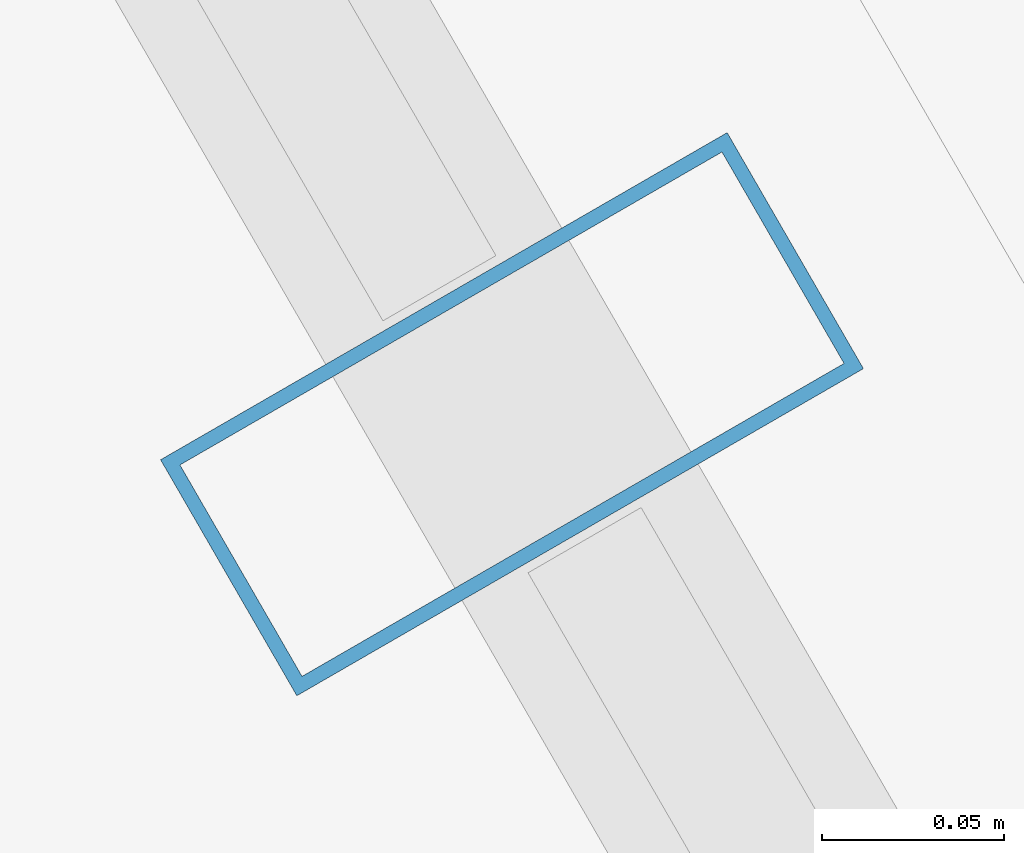
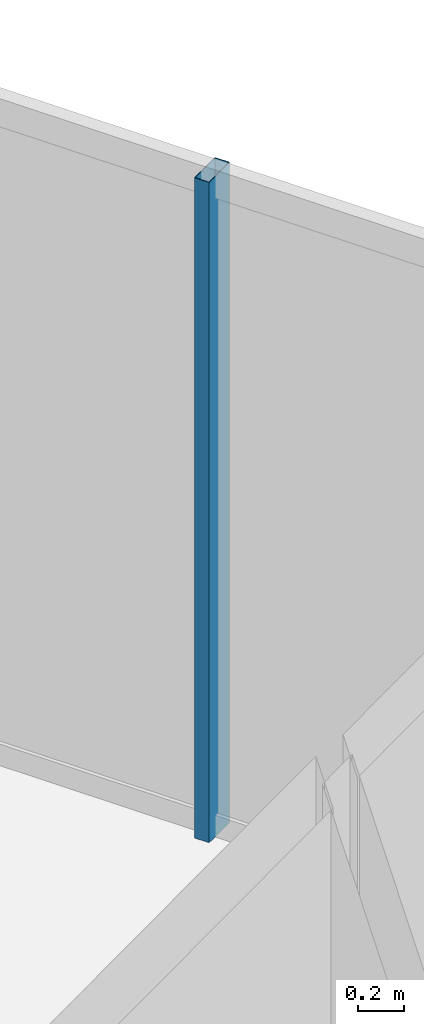
# One storey, part 24 of 32: 1 member, 1 element without a shape of its own.
"""IFC4 building model written with IfcOpenShell, lengths in metres."""

import ifcopenshell
import ifcopenshell.guid

model = None  # the IFC model being written
_history = None  # IfcOwnerHistory: only IFC2X3 demands one
_inside = {}  # id of a spatial element -> (the spatial element, [elements in it])
_under = {}  # id of a project, library or spatial element -> (it, [spatial elements below it])
_declared = {}  # id of a project -> (the project, [libraries it declares])
_typed = {}  # id of a type object -> (the type object, [elements of that type])
_made_of = {}  # id of a material, layer set ... -> (it, [elements and type objects made of it])


def new_model(schema):
    """Start an empty IFC model of exactly this schema.

    Asked for "IFC4X3", IfcOpenShell would pick the latest addendum, in which some entities
    have other attributes; the version numbers below select the first issue.
    IFC2X3 requires an IfcOwnerHistory on every rooted entity: one is made here for all.
    """
    global model, _history
    if schema == "IFC4X3":
        model = ifcopenshell.file(schema_version=(4, 3, 0, 0))
    else:
        model = ifcopenshell.file(schema=schema)
    _inside.clear()
    _under.clear()
    _declared.clear()
    _typed.clear()
    _made_of.clear()
    _history = None
    if model.schema == "IFC2X3":
        org = make("IfcOrganization", Name="unknown")
        user = make(
            "IfcPersonAndOrganization",
            ThePerson=make("IfcPerson", FamilyName="unknown"),
            TheOrganization=org,
        )
        app = make(
            "IfcApplication",
            ApplicationDeveloper=org,
            Version="unknown",
            ApplicationFullName="unknown",
            ApplicationIdentifier="unknown",
        )
        _history = make(
            "IfcOwnerHistory",
            OwningUser=user,
            OwningApplication=app,
            ChangeAction="ADDED",
            CreationDate=0,
        )
    return model


def make(cls, **values):
    """One entity of the class cls with the attributes given. An attribute that is None is left unset."""
    return model.create_entity(
        cls, **{name: value for name, value in values.items() if value is not None}
    )


def rooted(cls, **values):
    """An entity with a GlobalId (a new one), such as an element, a storey or a relation."""
    return make(cls, GlobalId=ifcopenshell.guid.new(), OwnerHistory=_history, **values)


def si_unit(unit_type, name, prefix=None):
    """IfcSIUnit, for example si_unit("LENGTHUNIT", "METRE", prefix="MILLI")."""
    return make("IfcSIUnit", UnitType=unit_type, Prefix=prefix, Name=name)


def assignment(units):
    """IfcUnitAssignment: the units of a project."""
    return None if units is None else make("IfcUnitAssignment", Units=units)


def point(xyz):
    """IfcCartesianPoint."""
    return None if xyz is None else make("IfcCartesianPoint", Coordinates=xyz)


def direction(xyz):
    """IfcDirection."""
    return None if xyz is None else make("IfcDirection", DirectionRatios=xyz)


def frame(location, z_axis=None, x_axis=None):
    """IfcAxis2Placement3D, a coordinate frame: its origin and axes. An axis left out is left unset."""
    return make(
        "IfcAxis2Placement3D",
        Location=point(location),
        Axis=direction(z_axis),
        RefDirection=direction(x_axis),
    )


def frame_2d(location, x_axis=None):
    """IfcAxis2Placement2D, a coordinate frame in the plane: its origin and x axis."""
    return make(
        "IfcAxis2Placement2D", Location=point(location), RefDirection=direction(x_axis)
    )


def origin():
    """The frame at (0, 0, 0) with its axes left unset."""
    return frame((0.0, 0.0, 0.0))


def origin_2d():
    """The frame at (0, 0) in the plane with its x axis left unset."""
    return frame_2d((0.0, 0.0))


def place(relative_to, where):
    """IfcLocalPlacement: puts the frame where relative to a parent placement (None: the world)."""
    return make(
        "IfcLocalPlacement", PlacementRelTo=relative_to, RelativePlacement=where
    )


def context(
    kind, dimensions, precision=None, world=None, true_north=None, identifier=None
):
    """IfcGeometricRepresentationContext, for example the 3D "Model" context."""
    return make(
        "IfcGeometricRepresentationContext",
        ContextIdentifier=identifier,
        ContextType=kind,
        CoordinateSpaceDimension=dimensions,
        Precision=precision,
        WorldCoordinateSystem=world,
        TrueNorth=true_north,
    )


def subcontext(parent, identifier, kind, view, scale=None):
    """IfcGeometricRepresentationSubContext, for example "Body" below "Model"."""
    return make(
        "IfcGeometricRepresentationSubContext",
        ContextIdentifier=identifier,
        ContextType=kind,
        ParentContext=parent,
        TargetScale=scale,
        TargetView=view,
    )


def project(units=None, contexts=None):
    """IfcProject with its units and contexts."""
    return rooted(
        "IfcProject",
        Name="project",
        RepresentationContexts=contexts,
        UnitsInContext=assignment(units),
    )


def spatial(cls, under=None, at=None, **own):
    """A site, building, storey or space (cls), placed at a placement, below another one or the project."""
    s = rooted(cls, ObjectPlacement=at, **own)
    if under is not None:
        _under.setdefault(under.id(), (under, []))[1].append(s)
    return s


def profile(cls, at=None, kind="AREA", **sizes):
    """A parametric profile (cls). Its sizes go by their IFC names, for example OverallWidth=200.0."""
    return make(cls, ProfileType=kind, Position=at, **sizes)


def hollow_rectangle(**sizes):
    """IfcRectangleHollowProfileDef."""
    return profile("IfcRectangleHollowProfileDef", **sizes)


def extrude(swept, where, along, depth):
    """IfcExtrudedAreaSolid: the profile swept, set in the frame where, extruded along a direction by depth."""
    return make(
        "IfcExtrudedAreaSolid",
        SweptArea=swept,
        Position=where,
        ExtrudedDirection=direction(along),
        Depth=depth,
    )


def shape(context_of_items, identifier, shape_type, items):
    """IfcShapeRepresentation: the items that make up one representation, for example the "Body"."""
    return make(
        "IfcShapeRepresentation",
        ContextOfItems=context_of_items,
        RepresentationIdentifier=identifier,
        RepresentationType=shape_type,
        Items=items,
    )


def material(Name=None, Category=None):
    """IfcMaterial."""
    return make("IfcMaterial", Name=Name, Category=Category)


def layer(
    of_material, thickness, ventilated=None, Name=None, Category=None, Priority=None
):
    """IfcMaterialLayer: one layer of a wall or slab, of a material (None: an air gap)."""
    return make(
        "IfcMaterialLayer",
        Material=of_material,
        LayerThickness=thickness,
        IsVentilated=ventilated,
        Name=Name,
        Category=Category,
        Priority=Priority,
    )


def layer_set(layers, Name=None):
    """IfcMaterialLayerSet."""
    return make("IfcMaterialLayerSet", MaterialLayers=layers, LayerSetName=Name)


def material_profile(
    of_material, cross_section, Name=None, Category=None, Priority=None
):
    """IfcMaterialProfile: a cross section and its material."""
    return make(
        "IfcMaterialProfile",
        Name=Name,
        Material=of_material,
        Profile=cross_section,
        Priority=Priority,
        Category=Category,
    )


def profile_set(profiles, Name=None, composite=None):
    """IfcMaterialProfileSet."""
    return make(
        "IfcMaterialProfileSet",
        Name=Name,
        MaterialProfiles=profiles,
        CompositeProfile=composite,
    )


def made_of(thing, what):
    """Note that an element or type object is made of a material, layer set ...; save() writes the relation."""
    if what is not None:
        _made_of.setdefault(what.id(), (what, []))[1].append(thing)
    return thing


def type_object(cls, material=None, **own):
    """A type object (cls), such as IfcWallType, which elements share."""
    return made_of(rooted(cls, **own), material)


def element(
    cls,
    number,
    at=None,
    inside=None,
    cuts=None,
    type_object=None,
    material=None,
    context=None,
    identifier="Body",
    shape_type=None,
    held_by="IfcProductDefinitionShape",
    body=None,
    shapes=None,
    **own,
):
    """One element of the class cls, such as IfcWall. Its Tag is "e" and its number.

    at: its placement. inside: the storey or other place that contains it. cuts: it is an
    opening in that element (IfcRelVoidsElement). A single representation is given by context,
    identifier, shape_type and body (its items); several are given by shapes. held_by: the class
    of the entity that holds the representations. save() writes the other relations.
    """
    e = rooted(cls, Tag="e%d" % number, ObjectPlacement=at, **own)
    if body is not None:
        shapes = [shape(context, identifier, shape_type, body)]
    if shapes is not None:
        e.Representation = make(held_by, Representations=shapes)
    if inside is not None:
        _inside.setdefault(inside.id(), (inside, []))[1].append(e)
    if cuts is not None:
        rooted(
            "IfcRelVoidsElement", RelatingBuildingElement=cuts, RelatedOpeningElement=e
        )
    if type_object is not None:
        _typed.setdefault(type_object.id(), (type_object, []))[1].append(e)
    return made_of(e, material)


def aggregate(whole, parts):
    """IfcRelAggregates: a whole, such as a stair, and the parts it consists of."""
    return rooted("IfcRelAggregates", RelatingObject=whole, RelatedObjects=parts)


def save(model, path):
    """Write the relations noted so far, then the file.

    IfcRelAggregates (storeys below a building ...), IfcRelContainedInSpatialStructure (elements
    in a storey), IfcRelDefinesByType, IfcRelAssociatesMaterial and IfcRelDeclares: one each for
    every whole, place, type object, material and project.
    """
    for whole, parts in _under.values():
        aggregate(whole, parts)
    for where, things in _inside.values():
        rooted(
            "IfcRelContainedInSpatialStructure",
            RelatedElements=things,
            RelatingStructure=where,
        )
    for kind, things in _typed.values():
        rooted("IfcRelDefinesByType", RelatedObjects=things, RelatingType=kind)
    for what, things in _made_of.values():
        rooted("IfcRelAssociatesMaterial", RelatedObjects=things, RelatingMaterial=what)
    for by, libraries in _declared.values():
        rooted("IfcRelDeclares", RelatingContext=by, RelatedDefinitions=libraries)
    model.write(path)


model = new_model("IFC4")

# Units and contexts
model_context = context("Model", 3, precision=1e-05, world=origin(), true_north=direction((0.0, 1.0)))
body_context = subcontext(model_context, "Body", "Model", "MODEL_VIEW")
ifc_project = project(units=[si_unit("LENGTHUNIT", "METRE"), si_unit("AREAUNIT", "SQUARE_METRE"), si_unit("VOLUMEUNIT", "CUBIC_METRE"), si_unit("PLANEANGLEUNIT", "RADIAN"), si_unit("MASSUNIT", "GRAM", prefix="KILO")], contexts=[model_context])

# Site, building, storey
site_placement = place(None, origin())
site = spatial("IfcSite", under=ifc_project, at=site_placement, CompositionType="ELEMENT")
building_placement = place(site_placement, origin())
building = spatial("IfcBuilding", under=site, at=building_placement, Name="Ndaravel Arena Tower", CompositionType="ELEMENT")
storey_placement = place(building_placement, frame((0.0, 0.0, 294.699951171875)))
storey = spatial("IfcBuildingStorey", under=building, at=storey_placement, Name="L72", CompositionType="ELEMENT", Elevation=294.699951171875)

# Curtain wall, member
ifc_material_1 = material(Name="Aluminium", Category="aluminium")
ifc_layer = layer(ifc_material_1, 0.179931640625)
ifc_layer_set = layer_set([ifc_layer], Name="Aluminium")
curtain_wall_type = type_object("IfcCurtainWallType", Name="CW-SYS-03", PredefinedType="NOTDEFINED", material=ifc_layer_set)
curtain_wall_placement = place(storey_placement, origin())
curtain_wall = element("IfcCurtainWall", 1, at=curtain_wall_placement, inside=storey, type_object=curtain_wall_type, Name="L72 Faceted Crystal Curtain Wall CW-L72-E03", PredefinedType="NOTDEFINED")
ifc_material_2 = material(Name="Aluminium", Category="aluminium")
ifc_material_profile = material_profile(ifc_material_2, hollow_rectangle(XDim=0.074951171875, YDim=0.179931640625, WallThickness=0.00390625, at=origin_2d()), Name="CW MULLION 75x180x4")
ifc_profile_set = profile_set([ifc_material_profile], Name="Aluminium")
member_type = type_object("IfcMemberType", Name="MEM-CW-MUL180", PredefinedType="MULLION", material=ifc_profile_set)
member_placement = place(storey_placement, frame((52.93896484375, 27.974609375, 0.0), z_axis=(0.0, 0.0, 1.0), x_axis=(-0.5, 0.866025403784, 0.0)))
member = element("IfcMember", 2, at=member_placement, type_object=member_type, Name="CW-L72-E03 Mullion 05", PredefinedType="MULLION", context=body_context, shape_type="SweptSolid", body=[
    extrude(hollow_rectangle(XDim=0.074951171875, YDim=0.179931640625, WallThickness=0.00390625, at=origin_2d()), origin(), (0.0, 0.0, 1.0), 3.52001953125),
])
aggregate(curtain_wall, [member])

save(model, "model.ifc")
